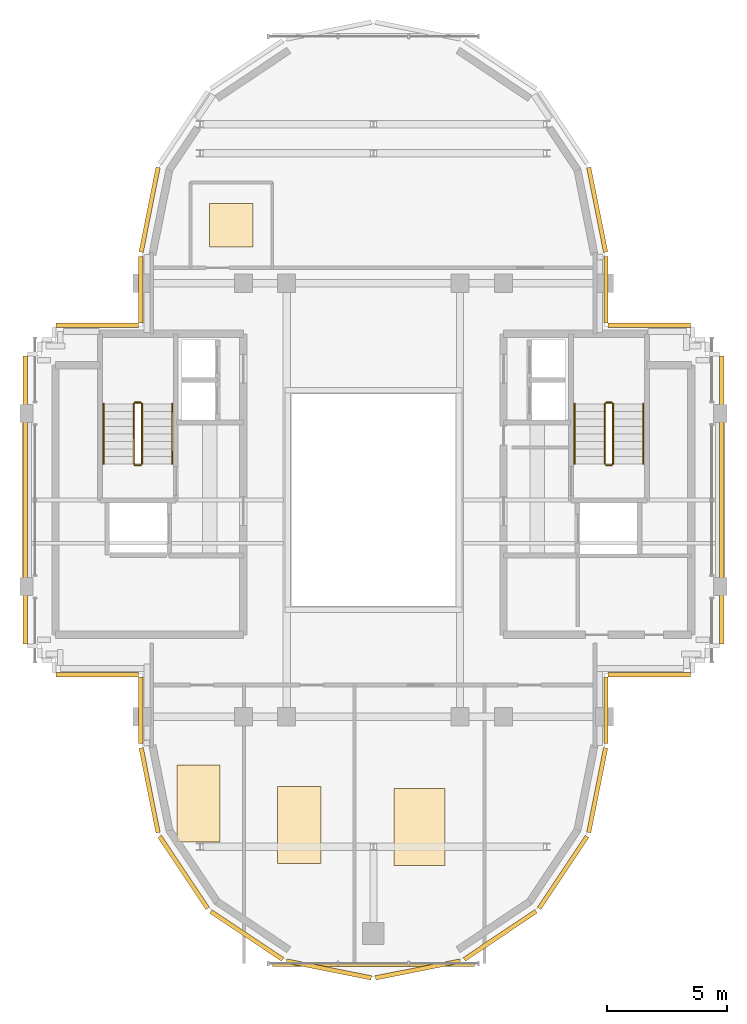
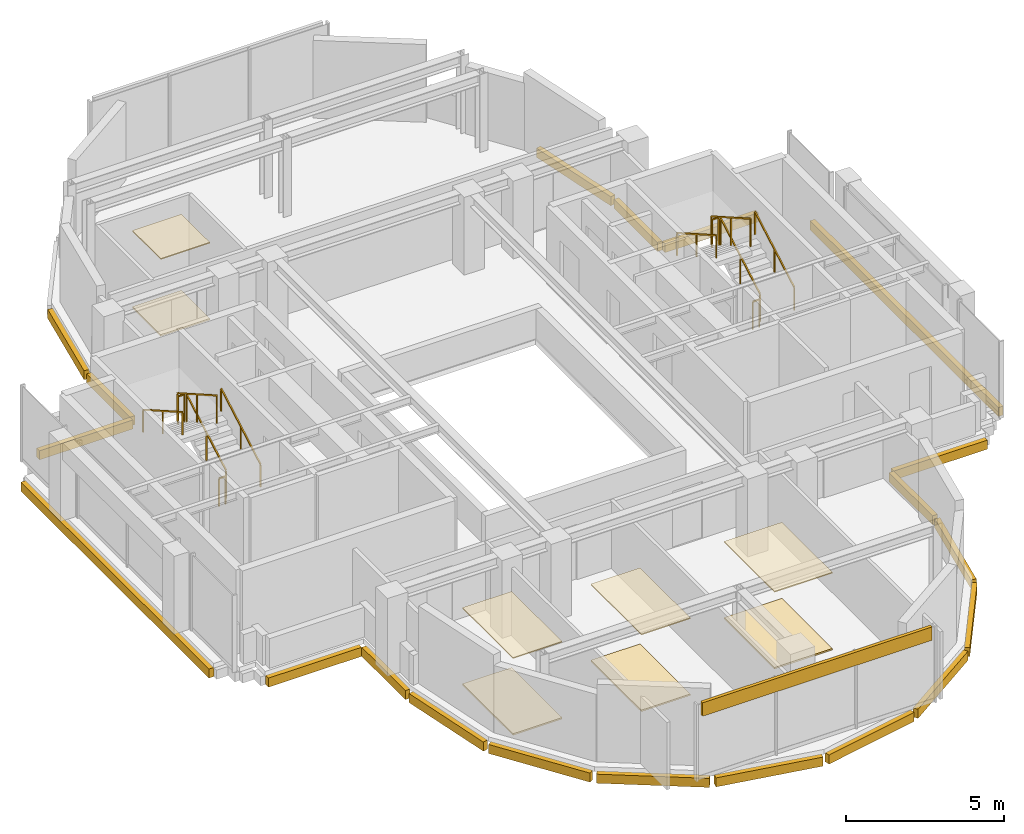
# One storey, part 9 of 10: 29 coverings, 12 railings.
"""IFC4 building model written with IfcOpenShell, lengths in metres."""

from ifc_helpers import new_model, si_unit, direction, frame, origin, origin_2d, place, context, subcontext, project, spatial, rectangle, extrude, source, transform, mapped, material, layer, layer_set, type_object, element, save


model = new_model("IFC4")

# Units and contexts
model_context = context("Model", 3, precision=1e-05, world=origin(), true_north=direction((0.0, 1.0)))
body_context = subcontext(model_context, "Body", "Model", "MODEL_VIEW")
ifc_project = project(units=[si_unit("LENGTHUNIT", "METRE"), si_unit("AREAUNIT", "SQUARE_METRE"), si_unit("VOLUMEUNIT", "CUBIC_METRE"), si_unit("PLANEANGLEUNIT", "RADIAN"), si_unit("MASSUNIT", "GRAM", prefix="KILO")], contexts=[model_context])

# Site, building, storey
site_placement = place(None, origin())
site = spatial("IfcSite", under=ifc_project, at=site_placement, CompositionType="ELEMENT")
building_placement = place(site_placement, origin())
building = spatial("IfcBuilding", under=site, at=building_placement, Name="Keilestroom Media Tower", CompositionType="ELEMENT")
storey_placement = place(building_placement, frame((0.0, 0.0, 262.0)))
storey = spatial("IfcBuildingStorey", under=building, at=storey_placement, Name="L73", CompositionType="ELEMENT", Elevation=262.0)

# Railings
ifc_material_1 = material(Name="Brushed Stainless Steel 1.4301", Category="steel")
railing_type_1 = type_object("IfcRailingType", Name="Stair-Pitch-Handrail-920", PredefinedType="HANDRAIL", material=ifc_material_1)
railing_1_placement = place(storey_placement, frame((-8.35009765625, 1.5, 0.177734375)))
element("IfcRailing", 1, at=railing_1_placement, inside=storey, type_object=railing_type_1, Name="L73 ST-1 stair handrail 1", PredefinedType="HANDRAIL", context=body_context, shape_type="SweptSolid", body=[
    extrude(rectangle(XDim=0.048095703125, YDim=0.048095703125, at=origin_2d()), frame((0.0, 0.0, 0.8759765625), z_axis=(0.0, 0.868838684858, 0.495095283449), x_axis=(-1.0, 0.0, 0.0)), (0.0, 0.0, 1.0), 2.872802734375),
    extrude(rectangle(XDim=0.0419921875, YDim=0.0419921875, at=origin_2d()), origin(), (0.0, 0.0, 1.0), 0.84375),
    extrude(rectangle(XDim=0.0419921875, YDim=0.0419921875, at=origin_2d()), frame((0.0, 1.248046875, 0.711181640625)), (0.0, 0.0, 1.0), 0.84375),
    extrude(rectangle(XDim=0.0419921875, YDim=0.0419921875, at=origin_2d()), frame((0.0, 2.49609375, 1.42236328125)), (0.0, 0.0, 1.0), 0.84375),
])
railing_2_placement = place(storey_placement, frame((-11.2099609375, 3.99609375, 1.77783203125)))
element("IfcRailing", 2, at=railing_2_placement, inside=storey, type_object=railing_type_1, Name="L73 ST-1 stair handrail 2", PredefinedType="HANDRAIL", context=body_context, shape_type="SweptSolid", body=[
    extrude(rectangle(XDim=0.048095703125, YDim=0.048095703125, at=origin_2d()), frame((0.0, 0.0, 0.8759765625), z_axis=(0.0, -0.868875238982, 0.495031129408), x_axis=(1.0, 0.0, 0.0)), (0.0, 0.0, 1.0), 2.872802734375),
    extrude(rectangle(XDim=0.0419921875, YDim=0.0419921875, at=origin_2d()), origin(), (0.0, 0.0, 1.0), 0.84375),
    extrude(rectangle(XDim=0.0419921875, YDim=0.0419921875, at=origin_2d()), frame((0.0, -1.248046875, 0.7109375)), (0.0, 0.0, 1.0), 0.84375),
    extrude(rectangle(XDim=0.0419921875, YDim=0.0419921875, at=origin_2d()), frame((0.0, -2.49609375, 1.422119140625)), (0.0, 0.0, 1.0), 0.84375),
])
railing_3_placement = place(storey_placement, frame((11.2099609375, 1.5, 0.177734375)))
element("IfcRailing", 3, at=railing_3_placement, inside=storey, type_object=railing_type_1, Name="L73 ST-2 stair handrail 1", PredefinedType="HANDRAIL", context=body_context, shape_type="SweptSolid", body=[
    extrude(rectangle(XDim=0.048095703125, YDim=0.048095703125, at=origin_2d()), frame((0.0, 0.0, 0.8759765625), z_axis=(0.0, 0.868838684858, 0.495095283449), x_axis=(-1.0, 0.0, 0.0)), (0.0, 0.0, 1.0), 2.872802734375),
    extrude(rectangle(XDim=0.0419921875, YDim=0.0419921875, at=origin_2d()), origin(), (0.0, 0.0, 1.0), 0.84375),
    extrude(rectangle(XDim=0.0419921875, YDim=0.0419921875, at=origin_2d()), frame((0.0, 1.248046875, 0.711181640625)), (0.0, 0.0, 1.0), 0.84375),
    extrude(rectangle(XDim=0.0419921875, YDim=0.0419921875, at=origin_2d()), frame((0.0, 2.49609375, 1.42236328125)), (0.0, 0.0, 1.0), 0.84375),
])
railing_4_placement = place(storey_placement, frame((8.35009765625, 3.99609375, 1.77783203125)))
element("IfcRailing", 4, at=railing_4_placement, inside=storey, type_object=railing_type_1, Name="L73 ST-2 stair handrail 2", PredefinedType="HANDRAIL", context=body_context, shape_type="SweptSolid", body=[
    extrude(rectangle(XDim=0.048095703125, YDim=0.048095703125, at=origin_2d()), frame((0.0, 0.0, 0.8759765625), z_axis=(0.0, -0.868875238982, 0.495031129408), x_axis=(1.0, 0.0, 0.0)), (0.0, 0.0, 1.0), 2.872802734375),
    extrude(rectangle(XDim=0.0419921875, YDim=0.0419921875, at=origin_2d()), origin(), (0.0, 0.0, 1.0), 0.84375),
    extrude(rectangle(XDim=0.0419921875, YDim=0.0419921875, at=origin_2d()), frame((0.0, -1.248046875, 0.7109375)), (0.0, 0.0, 1.0), 0.84375),
    extrude(rectangle(XDim=0.0419921875, YDim=0.0419921875, at=origin_2d()), frame((0.0, -2.49609375, 1.422119140625)), (0.0, 0.0, 1.0), 0.84375),
])
ifc_material_2 = material(Name="Painted Steel Balustrade", Category="steel")
railing_type_2 = type_object("IfcRailingType", Name="Stair-Well-And-Landing-Guard-1100", PredefinedType="GUARDRAIL", material=ifc_material_2)
railing_5_placement = place(storey_placement, frame((-9.610107421875, 1.5, 0.177734375)))
element("IfcRailing", 5, at=railing_5_placement, inside=storey, type_object=railing_type_2, Name="L73 ST-1 stair guard 1", PredefinedType="GUARDRAIL", context=body_context, shape_type="SweptSolid", body=[
    extrude(rectangle(XDim=0.048095703125, YDim=0.048095703125, at=origin_2d()), frame((0.0, 0.0, 1.076171875), z_axis=(0.0, 0.868838684858, 0.495095283449), x_axis=(-1.0, 0.0, 0.0)), (0.0, 0.0, 1.0), 2.872802734375),
    extrude(rectangle(XDim=0.0419921875, YDim=0.0419921875, at=origin_2d()), origin(), (0.0, 0.0, 1.0), 1.0439453125),
    extrude(rectangle(XDim=0.0419921875, YDim=0.0419921875, at=origin_2d()), frame((0.0, 1.248046875, 0.711181640625)), (0.0, 0.0, 1.0), 1.0439453125),
    extrude(rectangle(XDim=0.0419921875, YDim=0.0419921875, at=origin_2d()), frame((0.0, 2.49609375, 1.42236328125)), (0.0, 0.0, 1.0), 1.0439453125),
])
railing_6_placement = place(storey_placement, frame((-9.659912109375, 4.0458984375, 1.60009765625)))
element("IfcRailing", 6, at=railing_6_placement, inside=storey, type_object=railing_type_2, Name="L73 ST-1 stair guard 2", PredefinedType="GUARDRAIL", context=body_context, shape_type="SweptSolid", body=[
    extrude(rectangle(XDim=0.048095703125, YDim=0.048095703125, at=origin_2d()), frame((0.0, 0.0, 1.076171875), z_axis=(-1.0, 0.0, 0.0), x_axis=(0.0, -1.0, 0.0)), (0.0, 0.0, 1.0), 0.239990234375),
    extrude(rectangle(XDim=0.0419921875, YDim=0.0419921875, at=origin_2d()), origin(), (0.0, 0.0, 1.0), 1.0439453125),
    extrude(rectangle(XDim=0.0419921875, YDim=0.0419921875, at=origin_2d()), frame((-0.239990234375, 0.0, 0.0)), (0.0, 0.0, 1.0), 1.0439453125),
])
railing_7_placement = place(storey_placement, frame((-9.949951171875, 3.99609375, 1.77783203125)))
element("IfcRailing", 7, at=railing_7_placement, inside=storey, type_object=railing_type_2, Name="L73 ST-1 stair guard 3", PredefinedType="GUARDRAIL", context=body_context, shape_type="SweptSolid", body=[
    extrude(rectangle(XDim=0.048095703125, YDim=0.048095703125, at=origin_2d()), frame((0.0, 0.0, 1.076171875), z_axis=(0.0, -0.868875238982, 0.495031129408), x_axis=(1.0, 0.0, 0.0)), (0.0, 0.0, 1.0), 2.872802734375),
    extrude(rectangle(XDim=0.0419921875, YDim=0.0419921875, at=origin_2d()), origin(), (0.0, 0.0, 1.0), 1.0439453125),
    extrude(rectangle(XDim=0.0419921875, YDim=0.0419921875, at=origin_2d()), frame((0.0, -1.248046875, 0.7109375)), (0.0, 0.0, 1.0), 1.0439453125),
    extrude(rectangle(XDim=0.0419921875, YDim=0.0419921875, at=origin_2d()), frame((0.0, -2.49609375, 1.422119140625)), (0.0, 0.0, 1.0), 1.0439453125),
])
railing_8_placement = place(storey_placement, frame((-9.659912109375, 1.449951171875, 0.0)))
element("IfcRailing", 8, at=railing_8_placement, inside=storey, type_object=railing_type_2, Name="L73 ST-1 stair guard 4", PredefinedType="GUARDRAIL", context=body_context, shape_type="SweptSolid", body=[
    extrude(rectangle(XDim=0.048095703125, YDim=0.048095703125, at=origin_2d()), frame((0.0, 0.0, 1.076171875), z_axis=(-1.0, 0.0, 0.0), x_axis=(0.0, -1.0, 0.0)), (0.0, 0.0, 1.0), 0.239990234375),
    extrude(rectangle(XDim=0.0419921875, YDim=0.0419921875, at=origin_2d()), origin(), (0.0, 0.0, 1.0), 1.0439453125),
    extrude(rectangle(XDim=0.0419921875, YDim=0.0419921875, at=origin_2d()), frame((-0.239990234375, 0.0, 0.0)), (0.0, 0.0, 1.0), 1.0439453125),
])
railing_9_placement = place(storey_placement, frame((9.949951171875, 1.5, 0.177734375)))
element("IfcRailing", 9, at=railing_9_placement, inside=storey, type_object=railing_type_2, Name="L73 ST-2 stair guard 1", PredefinedType="GUARDRAIL", context=body_context, shape_type="SweptSolid", body=[
    extrude(rectangle(XDim=0.048095703125, YDim=0.048095703125, at=origin_2d()), frame((0.0, 0.0, 1.076171875), z_axis=(0.0, 0.868838684858, 0.495095283449), x_axis=(-1.0, 0.0, 0.0)), (0.0, 0.0, 1.0), 2.872802734375),
    extrude(rectangle(XDim=0.0419921875, YDim=0.0419921875, at=origin_2d()), origin(), (0.0, 0.0, 1.0), 1.0439453125),
    extrude(rectangle(XDim=0.0419921875, YDim=0.0419921875, at=origin_2d()), frame((0.0, 1.248046875, 0.711181640625)), (0.0, 0.0, 1.0), 1.0439453125),
    extrude(rectangle(XDim=0.0419921875, YDim=0.0419921875, at=origin_2d()), frame((0.0, 2.49609375, 1.42236328125)), (0.0, 0.0, 1.0), 1.0439453125),
])
railing_10_placement = place(storey_placement, frame((9.89990234375, 4.0458984375, 1.60009765625)))
element("IfcRailing", 10, at=railing_10_placement, inside=storey, type_object=railing_type_2, Name="L73 ST-2 stair guard 2", PredefinedType="GUARDRAIL", context=body_context, shape_type="SweptSolid", body=[
    extrude(rectangle(XDim=0.048095703125, YDim=0.048095703125, at=origin_2d()), frame((0.0, 0.0, 1.076171875), z_axis=(-1.0, 0.0, 0.0), x_axis=(0.0, -1.0, 0.0)), (0.0, 0.0, 1.0), 0.239990234375),
    extrude(rectangle(XDim=0.0419921875, YDim=0.0419921875, at=origin_2d()), origin(), (0.0, 0.0, 1.0), 1.0439453125),
    extrude(rectangle(XDim=0.0419921875, YDim=0.0419921875, at=origin_2d()), frame((-0.239990234375, 0.0, 0.0)), (0.0, 0.0, 1.0), 1.0439453125),
])
railing_11_placement = place(storey_placement, frame((9.610107421875, 3.99609375, 1.77783203125)))
element("IfcRailing", 11, at=railing_11_placement, inside=storey, type_object=railing_type_2, Name="L73 ST-2 stair guard 3", PredefinedType="GUARDRAIL", context=body_context, shape_type="SweptSolid", body=[
    extrude(rectangle(XDim=0.048095703125, YDim=0.048095703125, at=origin_2d()), frame((0.0, 0.0, 1.076171875), z_axis=(0.0, -0.868875238982, 0.495031129408), x_axis=(1.0, 0.0, 0.0)), (0.0, 0.0, 1.0), 2.872802734375),
    extrude(rectangle(XDim=0.0419921875, YDim=0.0419921875, at=origin_2d()), origin(), (0.0, 0.0, 1.0), 1.0439453125),
    extrude(rectangle(XDim=0.0419921875, YDim=0.0419921875, at=origin_2d()), frame((0.0, -1.248046875, 0.7109375)), (0.0, 0.0, 1.0), 1.0439453125),
    extrude(rectangle(XDim=0.0419921875, YDim=0.0419921875, at=origin_2d()), frame((0.0, -2.49609375, 1.422119140625)), (0.0, 0.0, 1.0), 1.0439453125),
])
railing_12_placement = place(storey_placement, frame((9.89990234375, 1.449951171875, 0.0)))
element("IfcRailing", 12, at=railing_12_placement, inside=storey, type_object=railing_type_2, Name="L73 ST-2 stair guard 4", PredefinedType="GUARDRAIL", context=body_context, shape_type="SweptSolid", body=[
    extrude(rectangle(XDim=0.048095703125, YDim=0.048095703125, at=origin_2d()), frame((0.0, 0.0, 1.076171875), z_axis=(-1.0, 0.0, 0.0), x_axis=(0.0, -1.0, 0.0)), (0.0, 0.0, 1.0), 0.239990234375),
    extrude(rectangle(XDim=0.0419921875, YDim=0.0419921875, at=origin_2d()), origin(), (0.0, 0.0, 1.0), 1.0439453125),
    extrude(rectangle(XDim=0.0419921875, YDim=0.0419921875, at=origin_2d()), frame((-0.239990234375, 0.0, 0.0)), (0.0, 0.0, 1.0), 1.0439453125),
])

# Coverings
ifc_material_3 = material(Name="Precast concrete C40/50", Category="concrete")
ifc_layer_1 = layer(ifc_material_3, 0.1201171875)
ifc_layer_set_1 = layer_set([ifc_layer_1], Name="Precast concrete C40/50")
covering_type_1 = type_object("IfcCoveringType", Name="Exterior-Precast-Spandrel-Cladding-Panel-120", PredefinedType="CLADDING", material=ifc_layer_set_1)
shared_shape_1 = source(origin(), body_context, "Body", "SweptSolid", [
    extrude(rectangle(XDim=8.39990234375, YDim=0.1201171875, at=origin_2d()), origin(), (0.0, 0.0, 1.0), 0.52001953125),
])
covering_1_placement = place(storey_placement, frame((0.0, -19.320068359375, 2.5), z_axis=(0.0, 0.0, 1.0), x_axis=(1.0, 0.0, 0.0)))
element("IfcCovering", 13, at=covering_1_placement, inside=storey, type_object=covering_type_1, Name="L73 Precast Spandrel Cladding S", PredefinedType="CLADDING", context=body_context, shape_type="MappedRepresentation", body=[
    mapped(shared_shape_1, transform((0.0, 0.0, 0.0), x_axis=(1.0, 0.0, 0.0), y_axis=(0.0, 1.0, 0.0), z_axis=(0.0, 0.0, 1.0), scale=1.0)),
])
shared_shape_2 = source(origin(), body_context, "Body", "SweptSolid", [
    extrude(rectangle(XDim=2.765869140625, YDim=0.179931640625, at=origin_2d()), origin(), (0.0, 0.0, 1.0), 0.35009765625),
])
for number, where, z_axis, x_axis, name in (
    (14, (9.659912109375, -8.73291015625, -0.530029296875), (0.0, 0.0, 1.0), (0.0, -1.0, 0.0), "L73 Precast Slab-Edge Fascia Cornice 06"),
    (15, (-9.659912109375, -8.73291015625, -0.530029296875), (0.0, 0.0, 1.0), (0.0, 1.0, 0.0), "L73 Precast Slab-Edge Fascia Cornice 15"),
    (16, (-9.659912109375, 8.73291015625, -0.530029296875), (0.0, 0.0, 1.0), (0.0, 1.0, 0.0), "L73 Precast Slab-Edge Fascia Cornice 27"),
    (17, (9.659912109375, 8.73291015625, -0.530029296875), (0.0, 0.0, 1.0), (0.0, -1.0, 0.0), "L73 Precast Slab-Edge Fascia Cornice 36"),
):
    element("IfcCovering", number, at=place(storey_placement, frame(where, z_axis=z_axis, x_axis=x_axis)), inside=storey, type_object=covering_type_1, Name=name, PredefinedType="CLADDING", context=body_context, shape_type="MappedRepresentation", body=[
        mapped(shared_shape_2, transform((0.0, 0.0, 0.0), x_axis=(1.0, 0.0, 0.0), y_axis=(0.0, 1.0, 0.0), z_axis=(0.0, 0.0, 1.0), scale=1.0)),
    ])
shared_shape_3 = source(origin(), body_context, "Body", "SweptSolid", [
    extrude(rectangle(XDim=3.58349609375, YDim=0.179931640625, at=origin_2d()), origin(), (0.0, 0.0, 1.0), 0.35009765625),
])
for number, where, z_axis, x_axis, name in (
    (18, (9.29296875, -12.051513671875, -0.530029296875), (0.0, 0.0, 1.0), (-0.195098880975, -0.980783577882, 0.0), "L73 Precast Slab-Edge Fascia Cornice 07"),
    (19, (-9.29296875, -12.051513671875, -0.530029296875), (0.0, 0.0, 1.0), (-0.195098880975, 0.980783577882, 0.0), "L73 Precast Slab-Edge Fascia Cornice 14"),
    (20, (-9.29296875, 12.051513671875, -0.530029296875), (0.0, 0.0, 1.0), (0.195098880975, 0.980783577882, 0.0), "L73 Precast Slab-Edge Fascia Cornice 28"),
    (21, (9.29296875, 12.051513671875, -0.530029296875), (0.0, 0.0, 1.0), (0.195098880975, -0.980783577882, 0.0), "L73 Precast Slab-Edge Fascia Cornice 35"),
):
    element("IfcCovering", number, at=place(storey_placement, frame(where, z_axis=z_axis, x_axis=x_axis)), inside=storey, type_object=covering_type_1, Name=name, PredefinedType="CLADDING", context=body_context, shape_type="MappedRepresentation", body=[
        mapped(shared_shape_3, transform((0.0, 0.0, 0.0), x_axis=(1.0, 0.0, 0.0), y_axis=(0.0, 1.0, 0.0), z_axis=(0.0, 0.0, 1.0), scale=1.0)),
    ])
shared_shape_4 = source(origin(), body_context, "Body", "SweptSolid", [
    extrude(rectangle(XDim=3.589599609375, YDim=0.179931640625, at=origin_2d()), origin(), (0.0, 0.0, 1.0), 0.35009765625),
])
for number, where, z_axis, x_axis, name in (
    (22, (7.878662109375, -15.46435546875, -0.530029296875), (0.0, 0.0, 1.0), (-0.555574586577, -0.831466703332, 0.0), "L73 Precast Slab-Edge Fascia Cornice 08"),
    (23, (5.264404296875, -18.07861328125, -0.530029296875), (0.0, 0.0, 1.0), (-0.831466703332, -0.555574586577, 0.0), "L73 Precast Slab-Edge Fascia Cornice 09"),
    (24, (1.8486328125, -19.493408203125, -0.530029296875), (0.0, 0.0, 1.0), (-0.980783577882, -0.195098880975, 0.0), "L73 Precast Slab-Edge Fascia Cornice 10"),
    (25, (-1.8486328125, -19.493408203125, -0.530029296875), (0.0, 0.0, 1.0), (-0.980783577882, 0.195098880975, 0.0), "L73 Precast Slab-Edge Fascia Cornice 11"),
    (26, (-5.264404296875, -18.07861328125, -0.530029296875), (0.0, 0.0, 1.0), (-0.831466703332, 0.555574586577, 0.0), "L73 Precast Slab-Edge Fascia Cornice 12"),
    (27, (-7.878662109375, -15.46435546875, -0.530029296875), (0.0, 0.0, 1.0), (-0.555574586577, 0.831466703332, 0.0), "L73 Precast Slab-Edge Fascia Cornice 13"),
):
    element("IfcCovering", number, at=place(storey_placement, frame(where, z_axis=z_axis, x_axis=x_axis)), inside=storey, type_object=covering_type_1, Name=name, PredefinedType="CLADDING", context=body_context, shape_type="MappedRepresentation", body=[
        mapped(shared_shape_4, transform((0.0, 0.0, 0.0), x_axis=(1.0, 0.0, 0.0), y_axis=(0.0, 1.0, 0.0), z_axis=(0.0, 0.0, 1.0), scale=1.0)),
    ])
shared_shape_5 = source(origin(), body_context, "Body", "SweptSolid", [
    extrude(rectangle(XDim=3.419921875, YDim=0.179931640625, at=origin_2d()), origin(), (0.0, 0.0, 1.0), 0.35009765625),
])
for number, where, z_axis, x_axis, name in (
    (28, (11.4599609375, -7.260009765625, -0.530029296875), (0.0, 0.0, 1.0), (-1.0, 0.0, 0.0), "L73 Precast Slab-Edge Fascia Cornice 05"),
    (29, (-11.4599609375, -7.260009765625, -0.530029296875), (0.0, 0.0, 1.0), (-1.0, 0.0, 0.0), "L73 Precast Slab-Edge Fascia Cornice 16"),
    (30, (-11.4599609375, 7.260009765625, -0.530029296875), (0.0, 0.0, 1.0), (1.0, 0.0, 0.0), "L73 Precast Slab-Edge Fascia Cornice 26"),
    (31, (11.4599609375, 7.260009765625, -0.530029296875), (0.0, 0.0, 1.0), (1.0, 0.0, 0.0), "L73 Precast Slab-Edge Fascia Cornice 37"),
):
    element("IfcCovering", number, at=place(storey_placement, frame(where, z_axis=z_axis, x_axis=x_axis)), inside=storey, type_object=covering_type_1, Name=name, PredefinedType="CLADDING", context=body_context, shape_type="MappedRepresentation", body=[
        mapped(shared_shape_5, transform((0.0, 0.0, 0.0), x_axis=(1.0, 0.0, 0.0), y_axis=(0.0, 1.0, 0.0), z_axis=(0.0, 0.0, 1.0), scale=1.0)),
    ])
shared_shape_6 = source(origin(), body_context, "Body", "SweptSolid", [
    extrude(rectangle(XDim=11.93994140625, YDim=0.179931640625, at=origin_2d()), origin(), (0.0, 0.0, 1.0), 0.35009765625),
])
for number, where, z_axis, x_axis, name in (
    (32, (-14.4599609375, 0.0, -0.530029296875), (0.0, 0.0, 1.0), (0.0, 1.0, 0.0), "L73 Precast Slab-Edge Fascia Cornice 21"),
    (33, (14.4599609375, 0.0, -0.530029296875), (0.0, 0.0, 1.0), (0.0, -1.0, 0.0), "L73 Precast Slab-Edge Fascia Cornice 42"),
):
    element("IfcCovering", number, at=place(storey_placement, frame(where, z_axis=z_axis, x_axis=x_axis)), inside=storey, type_object=covering_type_1, Name=name, PredefinedType="CLADDING", context=body_context, shape_type="MappedRepresentation", body=[
        mapped(shared_shape_6, transform((0.0, 0.0, 0.0), x_axis=(1.0, 0.0, 0.0), y_axis=(0.0, 1.0, 0.0), z_axis=(0.0, 0.0, 1.0), scale=1.0)),
    ])
ifc_material_4 = material(Name="Mineral-Fibre Acoustic Ceiling Tile", Category="gypsum")
ifc_layer_2 = layer(ifc_material_4, 0.0400390625)
ifc_layer_set_2 = layer_set([ifc_layer_2], Name="Mineral-Fibre Acoustic Ceiling Tile")
covering_type_2 = type_object("IfcCoveringType", Name="Suspended-Acoustic-Ceiling-40", PredefinedType="CEILING", material=ifc_layer_set_2)
shared_shape_7 = source(origin(), body_context, "Body", "SweptSolid", [
    extrude(rectangle(XDim=1.800048828125, YDim=1.800048828125, at=origin_2d()), origin(), (0.0, 0.0, 1.0), 0.0400390625),
])
covering_2_placement = place(storey_placement, frame((-5.89990234375, 11.4150390625, 2.969970703125), z_axis=(0.0, 0.0, 1.0), x_axis=(1.0, 0.0, 0.0)))
element("IfcCovering", 34, at=covering_2_placement, inside=storey, type_object=covering_type_2, Name="L73 Suspended Acoustic Ceiling 1", PredefinedType="CEILING", context=body_context, shape_type="MappedRepresentation", body=[
    mapped(shared_shape_7, transform((0.0, 0.0, 0.0), x_axis=(1.0, 0.0, 0.0), y_axis=(0.0, 1.0, 0.0), z_axis=(0.0, 0.0, 1.0), scale=1.0)),
])
ifc_material_5 = material(Name="Calcium-Sulphate Raised Access Floor", Category="concrete")
ifc_layer_3 = layer(ifc_material_5, 0.06005859375)
ifc_layer_set_3 = layer_set([ifc_layer_3], Name="Calcium-Sulphate Raised Access Floor")
covering_type_3 = type_object("IfcCoveringType", Name="Raised-Access-And-Acoustic-Flooring-60", PredefinedType="FLOORING", material=ifc_layer_set_3)
shared_shape_8 = source(origin(), body_context, "Body", "SweptSolid", [
    extrude(rectangle(XDim=1.800048828125, YDim=1.800048828125, at=origin_2d()), origin(), (0.0, 0.0, 1.0), 0.06005859375),
])
covering_3_placement = place(storey_placement, frame((-5.89990234375, 11.4150390625, 0.0), z_axis=(0.0, 0.0, 1.0), x_axis=(1.0, 0.0, 0.0)))
element("IfcCovering", 35, at=covering_3_placement, inside=storey, type_object=covering_type_3, Name="L73 Raised Access Flooring 1", PredefinedType="FLOORING", context=body_context, shape_type="MappedRepresentation", body=[
    mapped(shared_shape_8, transform((0.0, 0.0, 0.0), x_axis=(1.0, 0.0, 0.0), y_axis=(0.0, 1.0, 0.0), z_axis=(0.0, 0.0, 1.0), scale=1.0)),
])
shared_shape_9 = source(origin(), body_context, "Body", "SweptSolid", [
    extrude(rectangle(XDim=1.800048828125, YDim=3.199951171875, at=origin_2d()), origin(), (0.0, 0.0, 1.0), 0.0400390625),
])
for number, where, z_axis, x_axis, name in (
    (36, (-7.260009765625, -12.593994140625, 2.969970703125), (0.0, 0.0, 1.0), (1.0, 0.0, 0.0), "L73 Suspended Acoustic Ceiling 3"),
    (37, (-3.080078125, -13.4990234375, 2.969970703125), (0.0, 0.0, 1.0), (1.0, 0.0, 0.0), "L73 Suspended Acoustic Ceiling 4"),
):
    element("IfcCovering", number, at=place(storey_placement, frame(where, z_axis=z_axis, x_axis=x_axis)), inside=storey, type_object=covering_type_2, Name=name, PredefinedType="CEILING", context=body_context, shape_type="MappedRepresentation", body=[
        mapped(shared_shape_9, transform((0.0, 0.0, 0.0), x_axis=(1.0, 0.0, 0.0), y_axis=(0.0, 1.0, 0.0), z_axis=(0.0, 0.0, 1.0), scale=1.0)),
    ])
shared_shape_10 = source(origin(), body_context, "Body", "SweptSolid", [
    extrude(rectangle(XDim=1.800048828125, YDim=3.199951171875, at=origin_2d()), origin(), (0.0, 0.0, 1.0), 0.06005859375),
])
for number, where, z_axis, x_axis, name in (
    (38, (-7.260009765625, -12.593994140625, 0.0), (0.0, 0.0, 1.0), (1.0, 0.0, 0.0), "L73 Raised Access Flooring 3"),
    (39, (-3.080078125, -13.4990234375, 0.0), (0.0, 0.0, 1.0), (1.0, 0.0, 0.0), "L73 Raised Access Flooring 4"),
):
    element("IfcCovering", number, at=place(storey_placement, frame(where, z_axis=z_axis, x_axis=x_axis)), inside=storey, type_object=covering_type_3, Name=name, PredefinedType="FLOORING", context=body_context, shape_type="MappedRepresentation", body=[
        mapped(shared_shape_10, transform((0.0, 0.0, 0.0), x_axis=(1.0, 0.0, 0.0), y_axis=(0.0, 1.0, 0.0), z_axis=(0.0, 0.0, 1.0), scale=1.0)),
    ])
shared_shape_11 = source(origin(), body_context, "Body", "SweptSolid", [
    extrude(rectangle(XDim=2.1201171875, YDim=3.199951171875, at=origin_2d()), origin(), (0.0, 0.0, 1.0), 0.0400390625),
])
covering_4_placement = place(storey_placement, frame((1.919921875, -13.570068359375, 2.969970703125), z_axis=(0.0, 0.0, 1.0), x_axis=(1.0, 0.0, 0.0)))
element("IfcCovering", 40, at=covering_4_placement, inside=storey, type_object=covering_type_2, Name="L73 Suspended Acoustic Ceiling 5", PredefinedType="CEILING", context=body_context, shape_type="MappedRepresentation", body=[
    mapped(shared_shape_11, transform((0.0, 0.0, 0.0), x_axis=(1.0, 0.0, 0.0), y_axis=(0.0, 1.0, 0.0), z_axis=(0.0, 0.0, 1.0), scale=1.0)),
])
shared_shape_12 = source(origin(), body_context, "Body", "SweptSolid", [
    extrude(rectangle(XDim=2.1201171875, YDim=3.199951171875, at=origin_2d()), origin(), (0.0, 0.0, 1.0), 0.06005859375),
])
covering_5_placement = place(storey_placement, frame((1.919921875, -13.570068359375, 0.0), z_axis=(0.0, 0.0, 1.0), x_axis=(1.0, 0.0, 0.0)))
element("IfcCovering", 41, at=covering_5_placement, inside=storey, type_object=covering_type_3, Name="L73 Raised Access Flooring 5", PredefinedType="FLOORING", context=body_context, shape_type="MappedRepresentation", body=[
    mapped(shared_shape_12, transform((0.0, 0.0, 0.0), x_axis=(1.0, 0.0, 0.0), y_axis=(0.0, 1.0, 0.0), z_axis=(0.0, 0.0, 1.0), scale=1.0)),
])

save(model, "model.ifc")
